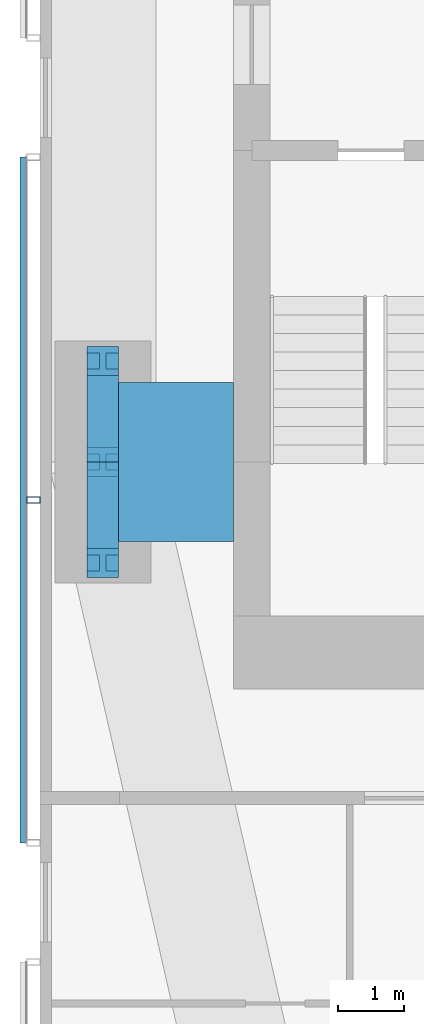
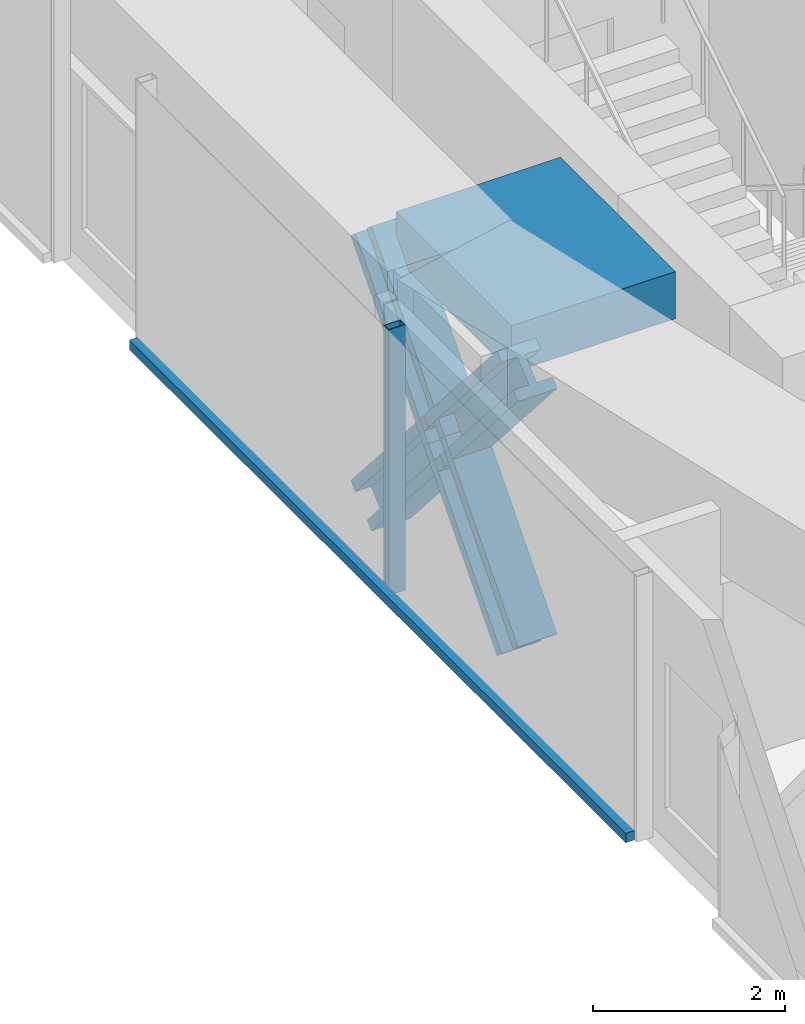
# One storey, part 4 of 19: 6 members, 1 beam, 1 element without a shape of its own.
"""IFC4 building model written with IfcOpenShell, lengths in metres."""

from ifc_helpers import new_model, si_unit, direction, frame, origin, origin_2d, place, context, subcontext, project, spatial, rectangle, hollow_rectangle, i_section, extrude, material, material_profile, profile_set, type_object, element, aggregate, save


model = new_model("IFC4")

# Units and contexts
model_context = context("Model", 3, precision=1e-05, world=origin(), true_north=direction((0.0, 1.0)))
body_context = subcontext(model_context, "Body", "Model", "MODEL_VIEW")
ifc_project = project(units=[si_unit("LENGTHUNIT", "METRE"), si_unit("AREAUNIT", "SQUARE_METRE"), si_unit("VOLUMEUNIT", "CUBIC_METRE"), si_unit("PLANEANGLEUNIT", "RADIAN"), si_unit("MASSUNIT", "GRAM", prefix="KILO")], contexts=[model_context])

# Site, building, storey
site_placement = place(None, origin())
site = spatial("IfcSite", under=ifc_project, at=site_placement, CompositionType="ELEMENT")
building_placement = place(site_placement, origin())
building = spatial("IfcBuilding", under=site, at=building_placement, Name="Jalousie Tower", CompositionType="ELEMENT")
storey_placement = place(building_placement, frame((0.0, 0.0, 224.949951171875)))
storey = spatial("IfcBuildingStorey", under=building, at=storey_placement, Name="L61", CompositionType="ELEMENT", Elevation=224.949951171875)

# Members
ifc_material_1 = material(Name="Steel ASTM A992 Grade 50", Category="steel")
ifc_material_profile_1 = material_profile(ifc_material_1, i_section(OverallWidth=0.472412109375, OverallDepth=0.5791015625, WebThickness=0.094970703125, FlangeThickness=0.1298828125, at=origin_2d()), Name="W14X808")
ifc_profile_set_1 = profile_set([ifc_material_profile_1], Name="Steel ASTM A992 Grade 50")
member_type_1 = type_object("IfcMemberType", Name="PERIMETER BRACE W14X808", PredefinedType="BRACE", material=ifc_profile_set_1)
for number, where, z_axis, x_axis, name in (
    (1, (17.75, 11.47509765625, -0.599853515625), (0.0, 0.65695436777, 0.753930340726), (-1.0, 0.0, 0.0), "Perimeter brace 14 L61 part 1"),
    (2, (17.75, 13.0, 1.150146484375), (0.0, 0.65695436777, 0.753930340726), (-1.0, 0.0, 0.0), "Perimeter brace 14 L61 part 2"),
    (3, (17.75, 14.52490234375, -0.599853515625), (0.0, -0.65695436777, 0.753930340726), (1.0, 0.0, 0.0), "Perimeter brace 14 L61 part 3"),
    (4, (17.75, 13.0, 1.150146484375), (0.0, -0.65695436777, 0.753930340726), (1.0, 0.0, 0.0), "Perimeter brace 14 L61 part 4"),
):
    element("IfcMember", number, at=place(storey_placement, frame(where, z_axis=z_axis, x_axis=x_axis)), inside=storey, type_object=member_type_1, Name=name, PredefinedType="BRACE", context=body_context, shape_type="SweptSolid", body=[
        extrude(i_section(OverallWidth=0.472412109375, OverallDepth=0.5791015625, WebThickness=0.094970703125, FlangeThickness=0.1298828125, at=origin_2d()), origin(), (0.0, 0.0, 1.0), 2.3212890625),
    ])

# Beam
ifc_material_2 = material(Name="Concrete f'c 40 MPa", Category="concrete")
ifc_material_profile_2 = material_profile(ifc_material_2, rectangle(XDim=2.39990234375, YDim=0.60009765625, at=origin_2d()), Name="RC 2400x600")
ifc_profile_set_2 = profile_set([ifc_material_profile_2], Name="Concrete f'c 40 MPa")
beam_type = type_object("IfcBeamType", Name="RC BEAM 2400x600", PredefinedType="BEAM", material=ifc_profile_set_2)
beam_placement = place(storey_placement, frame((17.75, 13.0, 2.9599609375), z_axis=(1.0, 0.0, 0.0), x_axis=(0.0, 1.0, 0.0)))
element("IfcBeam", 5, at=beam_placement, inside=storey, type_object=beam_type, Name="Floor band beam under L62", PredefinedType="BEAM", context=body_context, shape_type="SweptSolid", body=[
    extrude(rectangle(XDim=2.39990234375, YDim=0.60009765625, at=origin_2d()), origin(), (0.0, 0.0, 1.0), 1.97509765625),
])

# Curtain wall, members
ifc_material_3 = material(Name="Perforated aluminium sheet", Category="aluminium")
curtain_wall_type = type_object("IfcCurtainWallType", Name="SOLAR SCREEN SS-2", PredefinedType="USERDEFINED", material=ifc_material_3)
curtain_wall_placement = place(storey_placement, origin())
curtain_wall = element("IfcCurtainWall", 6, at=curtain_wall_placement, inside=storey, type_object=curtain_wall_type, Name="Solar screen L61", ObjectType="SOLAR SCREEN SS-2", PredefinedType="USERDEFINED")
ifc_material_4 = material(Name="Steel ASTM A500 Grade C", Category="steel")
ifc_material_profile_3 = material_profile(ifc_material_4, hollow_rectangle(XDim=0.1015625, YDim=0.203125, WallThickness=0.0078125, at=origin_2d()), Name="HSS8X4X5/16")
ifc_profile_set_3 = profile_set([ifc_material_profile_3], Name="Steel ASTM A500 Grade C")
member_type_2 = type_object("IfcMemberType", Name="SOLAR SCREEN SS-2 MULLION", PredefinedType="MULLION", material=ifc_profile_set_3)
member_1_placement = place(storey_placement, frame((16.703369140625, 12.425048828125, -0.119873046875), z_axis=(0.0, 0.0, 1.0), x_axis=(0.0, -1.0, 0.0)))
member_1 = element("IfcMember", 7, at=member_1_placement, type_object=member_type_2, Name="SS2 post 2", PredefinedType="MULLION", context=body_context, shape_type="SweptSolid", body=[
    extrude(hollow_rectangle(XDim=0.1015625, YDim=0.203125, WallThickness=0.0078125, at=origin_2d()), origin(), (0.0, 0.0, 1.0), 3.3798828125),
])
ifc_material_5 = material(Name="Extruded aluminium screen rail", Category="aluminium")
ifc_material_profile_4 = material_profile(ifc_material_5, rectangle(XDim=0.1015625, YDim=0.1201171875, at=origin_2d()), Name="RAIL 102x120")
ifc_profile_set_4 = profile_set([ifc_material_profile_4], Name="Extruded aluminium screen rail")
member_type_3 = type_object("IfcMemberType", Name="SOLAR SCREEN SS-2 TRANSOM", PredefinedType="USERDEFINED", material=ifc_profile_set_4)
member_2_placement = place(storey_placement, frame((16.551025390625, 17.60009765625, -0.06005859375), z_axis=(0.0, -1.0, 0.0), x_axis=(1.0, 0.0, 0.0)))
member_2 = element("IfcMember", 8, at=member_2_placement, type_object=member_type_3, Name="SS2 rail", ObjectType="TRANSOM", PredefinedType="USERDEFINED", context=body_context, shape_type="SweptSolid", body=[
    extrude(rectangle(XDim=0.1015625, YDim=0.1201171875, at=origin_2d()), origin(), (0.0, 0.0, 1.0), 10.35009765625),
])
aggregate(curtain_wall, [member_1, member_2])

save(model, "model.ifc")
